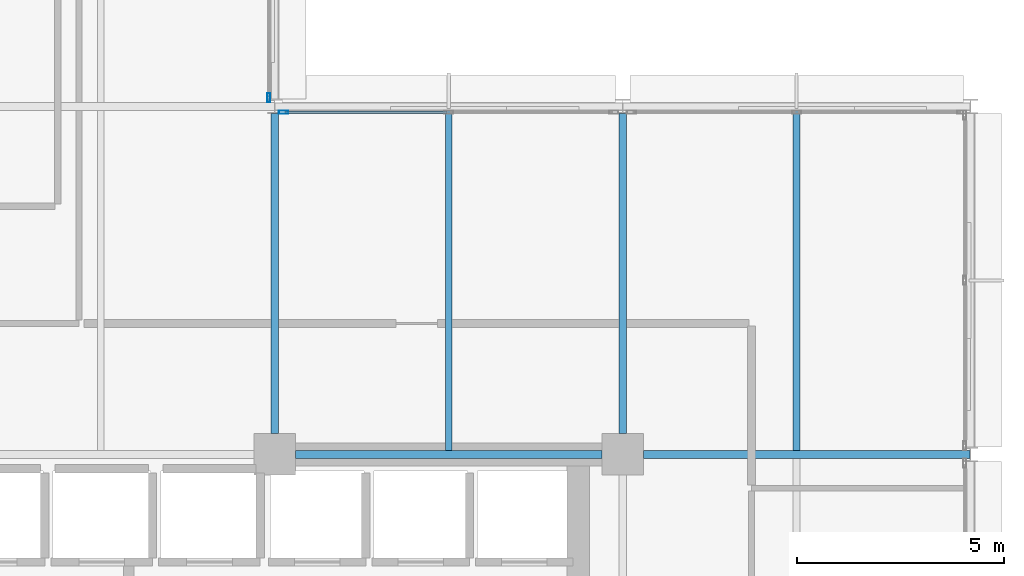
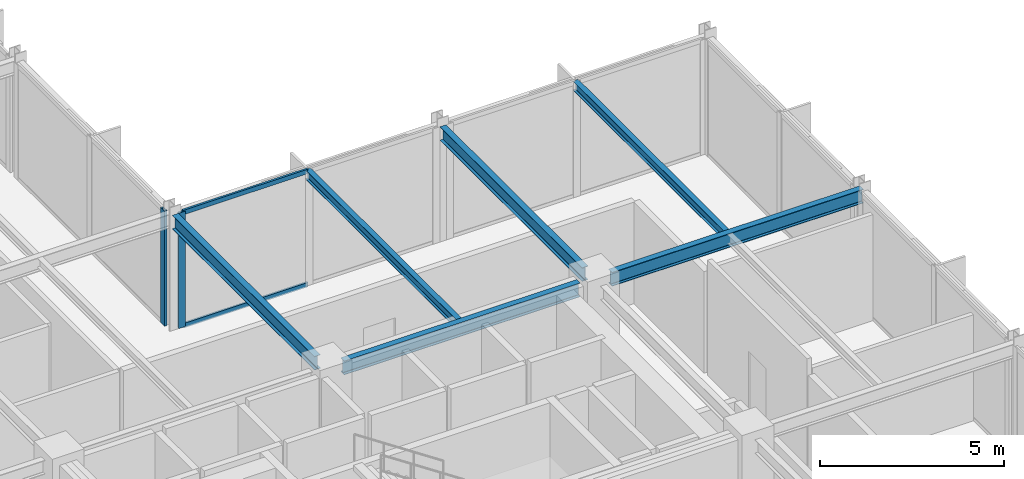
# One storey, part 9 of 21: 6 beams, 4 members, 2 elements without a shape of their own.
"""IFC4 building model written with IfcOpenShell, lengths in metres."""

from ifc_helpers import new_model, si_unit, direction, frame, origin, origin_2d, place, context, subcontext, project, spatial, hollow_rectangle, i_section, extrude, material, layer, layer_set, material_profile, profile_set, type_object, element, aggregate, save


model = new_model("IFC4")

# Units and contexts
model_context = context("Model", 3, precision=1e-05, world=origin(), true_north=direction((0.0, 1.0)))
body_context = subcontext(model_context, "Body", "Model", "MODEL_VIEW")
ifc_project = project(units=[si_unit("LENGTHUNIT", "METRE"), si_unit("AREAUNIT", "SQUARE_METRE"), si_unit("VOLUMEUNIT", "CUBIC_METRE"), si_unit("PLANEANGLEUNIT", "RADIAN"), si_unit("MASSUNIT", "GRAM", prefix="KILO")], contexts=[model_context])

# Site, building, storey
site_placement = place(None, origin())
site = spatial("IfcSite", under=ifc_project, at=site_placement, CompositionType="ELEMENT")
building_placement = place(site_placement, origin())
building = spatial("IfcBuilding", under=site, at=building_placement, Name="Nerrivon Quay Data Exchange", CompositionType="ELEMENT")
storey_placement = place(building_placement, frame((0.0, 0.0, 220.60009765625)))
storey = spatial("IfcBuildingStorey", under=building, at=storey_placement, Name="L52", CompositionType="ELEMENT", Elevation=220.60009765625)

# Beams
ifc_material_1 = material(Name="Steel Grade 350", Category="steel")
ifc_material_profile_1 = material_profile(ifc_material_1, i_section(OverallWidth=0.19091796875, OverallDepth=0.4599609375, WebThickness=0.010009765625, FlangeThickness=0.01611328125, FilletRadius=0.011474609375, at=origin_2d()), Name="460UB82.1")
ifc_profile_set_1 = profile_set([ifc_material_profile_1], Name="Steel Grade 350")
beam_type_1 = type_object("IfcBeamType", Name="BM-G5-460UB82", PredefinedType="BEAM", material=ifc_profile_set_1)
beam_1_placement = place(storey_placement, frame((25.699951171875, 16.800048828125, 3.594970703125), z_axis=(1.0, 0.0, 0.0), x_axis=(0.0, 1.0, 0.0)))
element("IfcBeam", 1, at=beam_1_placement, inside=storey, type_object=beam_type_1, Name="L52 EW Girder Y=16.8 (25.2..33.6)", PredefinedType="BEAM", context=body_context, shape_type="SweptSolid", body=[
    extrude(i_section(OverallWidth=0.19091796875, OverallDepth=0.4599609375, WebThickness=0.010009765625, FlangeThickness=0.01611328125, FilletRadius=0.011474609375, at=origin_2d()), origin(), (0.0, 0.0, 1.0), 7.400146484375),
])
beam_2_placement = place(storey_placement, frame((34.10009765625, 16.800048828125, 3.594970703125), z_axis=(1.0, 0.0, 0.0), x_axis=(0.0, 1.0, 0.0)))
element("IfcBeam", 2, at=beam_2_placement, inside=storey, type_object=beam_type_1, Name="L52 EW Girder Y=16.8 (33.6..42.0)", PredefinedType="BEAM", context=body_context, shape_type="SweptSolid", body=[
    extrude(i_section(OverallWidth=0.19091796875, OverallDepth=0.4599609375, WebThickness=0.010009765625, FlangeThickness=0.01611328125, FilletRadius=0.011474609375, at=origin_2d()), origin(), (0.0, 0.0, 1.0), 7.889892578125),
])
ifc_material_profile_2 = material_profile(ifc_material_1, i_section(OverallWidth=0.18994140625, OverallDepth=0.4541015625, WebThickness=0.008544921875, FlangeThickness=0.0126953125, FilletRadius=0.011474609375, at=origin_2d()), Name="460UB67.1")
ifc_profile_set_2 = profile_set([ifc_material_profile_2], Name="Steel Grade 350")
beam_type_2 = type_object("IfcBeamType", Name="BM-G6-460UB67", PredefinedType="BEAM", material=ifc_profile_set_2)
for number, where, z_axis, x_axis, name in (
    (3, (25.199951171875, 17.300048828125, 3.597900390625), (0.0, 1.0, 0.0), (-1.0, 0.0, 0.0), "L52 NS Girder X=25.2 (16.8..25.2)"),
    (4, (33.60009765625, 17.300048828125, 3.597900390625), (0.0, 1.0, 0.0), (-1.0, 0.0, 0.0), "L52 NS Girder X=33.6 (16.8..25.2)"),
):
    element("IfcBeam", number, at=place(storey_placement, frame(where, z_axis=z_axis, x_axis=x_axis)), inside=storey, type_object=beam_type_2, Name=name, PredefinedType="BEAM", context=body_context, shape_type="SweptSolid", body=[
        extrude(i_section(OverallWidth=0.18994140625, OverallDepth=0.4541015625, WebThickness=0.008544921875, FlangeThickness=0.0126953125, FilletRadius=0.011474609375, at=origin_2d()), origin(), (0.0, 0.0, 1.0), 7.724853515625),
    ])
ifc_material_profile_3 = material_profile(ifc_material_1, i_section(OverallWidth=0.166015625, OverallDepth=0.306884765625, WebThickness=0.006591796875, FlangeThickness=0.01171875, FilletRadius=0.011474609375, at=origin_2d()), Name="310UB46.2")
ifc_profile_set_3 = profile_set([ifc_material_profile_3], Name="Steel Grade 350")
beam_type_3 = type_object("IfcBeamType", Name="BM-J5-310UB46", PredefinedType="JOIST", material=ifc_profile_set_3)
for number, where, z_axis, x_axis, name in (
    (5, (29.39990234375, 16.8955078125, 3.67138671875), (0.0, 1.0, 0.0), (-1.0, 0.0, 0.0), "L52 Secondary Joist X=29.4 (16.8..25.2)"),
    (6, (37.800048828125, 16.8955078125, 3.67138671875), (0.0, 1.0, 0.0), (-1.0, 0.0, 0.0), "L52 Secondary Joist X=37.8 (16.8..25.2)"),
):
    element("IfcBeam", number, at=place(storey_placement, frame(where, z_axis=z_axis, x_axis=x_axis)), inside=storey, type_object=beam_type_3, Name=name, PredefinedType="JOIST", context=body_context, shape_type="SweptSolid", body=[
        extrude(i_section(OverallWidth=0.166015625, OverallDepth=0.306884765625, WebThickness=0.006591796875, FlangeThickness=0.01171875, FilletRadius=0.011474609375, at=origin_2d()), origin(), (0.0, 0.0, 1.0), 8.20458984375),
    ])

# Curtain wall, member
ifc_material_2 = material(Name="Anodised aluminium 6063-T6", Category="aluminium")
ifc_layer = layer(ifc_material_2, 0.22998046875)
ifc_layer_set = layer_set([ifc_layer], Name="Anodised aluminium 6063-T6")
curtain_wall_type = type_object("IfcCurtainWallType", Name="CW-SYS-05", PredefinedType="NOTDEFINED", material=ifc_layer_set)
curtain_wall_1_placement = place(storey_placement, origin())
curtain_wall_1 = element("IfcCurtainWall", 7, at=curtain_wall_1_placement, inside=storey, type_object=curtain_wall_type, Name="L52 Unitised Curtain Wall 23", PredefinedType="NOTDEFINED")
ifc_material_profile_4 = material_profile(ifc_material_2, hollow_rectangle(XDim=0.074951171875, YDim=0.219970703125, WallThickness=0.00390625, at=origin_2d()), Name="ALU-MULL-220x75")
ifc_profile_set_4 = profile_set([ifc_material_profile_4], Name="Anodised aluminium 6063-T6")
member_type_1 = type_object("IfcMemberType", Name="CWM-220x75", PredefinedType="MULLION", material=ifc_profile_set_4)
member_1_placement = place(storey_placement, frame((25.06005859375, 25.41259765625, 0.0), z_axis=(0.0, 0.0, 1.0), x_axis=(1.0, 0.0, 0.0)))
member_1 = element("IfcMember", 8, at=member_1_placement, type_object=member_type_1, Name="CW05 mullion 3", PredefinedType="MULLION", context=body_context, shape_type="SweptSolid", body=[
    extrude(hollow_rectangle(XDim=0.074951171875, YDim=0.219970703125, WallThickness=0.00390625, at=origin_2d()), origin(), (0.0, 0.0, 1.0), 3.824951171875),
])
aggregate(curtain_wall_1, [member_1])

# Curtain wall, members
curtain_wall_2_placement = place(storey_placement, origin())
curtain_wall_2 = element("IfcCurtainWall", 9, at=curtain_wall_2_placement, inside=storey, type_object=curtain_wall_type, Name="L52 Unitised Curtain Wall 24", PredefinedType="NOTDEFINED")
member_2_placement = place(storey_placement, frame((25.41259765625, 25.06005859375, 0.0), z_axis=(0.0, 0.0, 1.0), x_axis=(0.0, 1.0, 0.0)))
member_2 = element("IfcMember", 10, at=member_2_placement, type_object=member_type_1, Name="CW05 mullion 1", PredefinedType="MULLION", context=body_context, shape_type="SweptSolid", body=[
    extrude(hollow_rectangle(XDim=0.074951171875, YDim=0.219970703125, WallThickness=0.00390625, at=origin_2d()), origin(), (0.0, 0.0, 1.0), 3.824951171875),
])
ifc_material_profile_5 = material_profile(ifc_material_2, hollow_rectangle(XDim=0.06494140625, YDim=0.14990234375, WallThickness=0.00341796875, at=origin_2d()), Name="ALU-TRAN-150x65")
ifc_profile_set_5 = profile_set([ifc_material_profile_5], Name="Anodised aluminium 6063-T6")
member_type_2 = type_object("IfcMemberType", Name="CWT-150x65", PredefinedType="USERDEFINED", material=ifc_profile_set_5)
member_3_placement = place(storey_placement, frame((25.449951171875, 25.06005859375, 0.032470703125), z_axis=(1.0, 0.0, 0.0), x_axis=(0.0, 1.0, 0.0)))
member_3 = element("IfcMember", 11, at=member_3_placement, type_object=member_type_2, Name="CW05 transom 1.1", ObjectType="TRANSOM", PredefinedType="USERDEFINED", context=body_context, shape_type="SweptSolid", body=[
    extrude(hollow_rectangle(XDim=0.06494140625, YDim=0.14990234375, WallThickness=0.00341796875, at=origin_2d()), origin(), (0.0, 0.0, 1.0), 3.91259765625),
])
member_4_placement = place(storey_placement, frame((25.449951171875, 25.06005859375, 3.79248046875), z_axis=(1.0, 0.0, 0.0), x_axis=(0.0, 1.0, 0.0)))
member_4 = element("IfcMember", 12, at=member_4_placement, type_object=member_type_2, Name="CW05 transom 1.2", ObjectType="TRANSOM", PredefinedType="USERDEFINED", context=body_context, shape_type="SweptSolid", body=[
    extrude(hollow_rectangle(XDim=0.06494140625, YDim=0.14990234375, WallThickness=0.00341796875, at=origin_2d()), origin(), (0.0, 0.0, 1.0), 3.91259765625),
])
aggregate(curtain_wall_2, [member_2, member_3, member_4])

save(model, "model.ifc")
